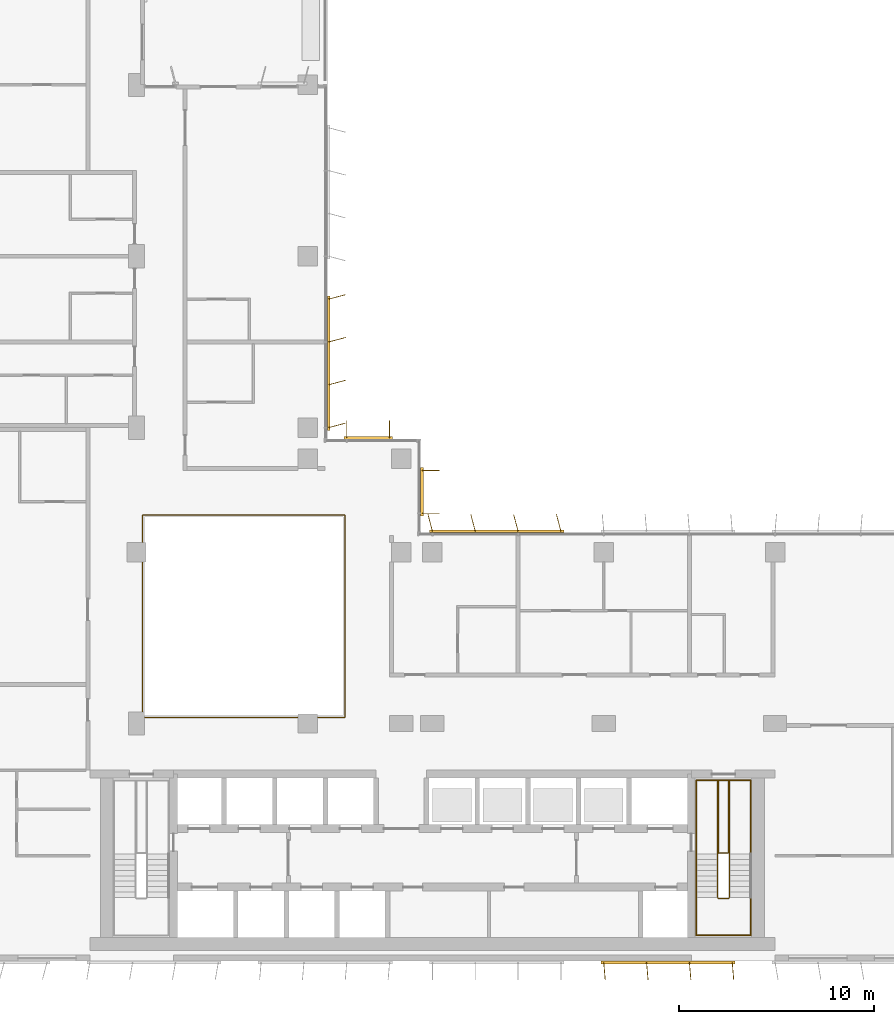
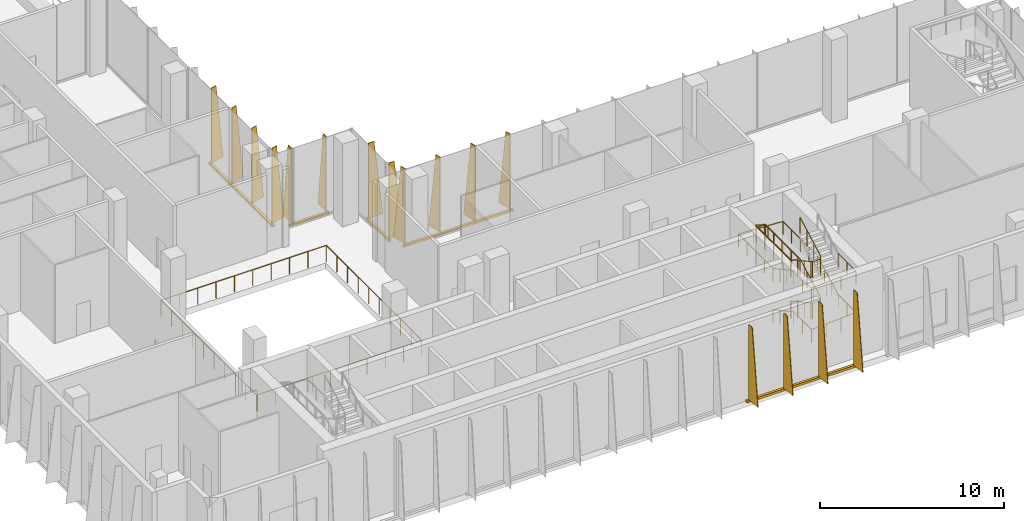
# One storey, part 20 of 24: 5 shading devices, 4 railings.
"""IFC4 building model written with IfcOpenShell, lengths in metres."""

import ifcopenshell
import ifcopenshell.guid

model = None  # the IFC model being written
_history = None  # IfcOwnerHistory: only IFC2X3 demands one
_inside = {}  # id of a spatial element -> (the spatial element, [elements in it])
_under = {}  # id of a project, library or spatial element -> (it, [spatial elements below it])
_declared = {}  # id of a project -> (the project, [libraries it declares])
_typed = {}  # id of a type object -> (the type object, [elements of that type])
_made_of = {}  # id of a material, layer set ... -> (it, [elements and type objects made of it])


def new_model(schema):
    """Start an empty IFC model of exactly this schema.

    Asked for "IFC4X3", IfcOpenShell would pick the latest addendum, in which some entities
    have other attributes; the version numbers below select the first issue.
    IFC2X3 requires an IfcOwnerHistory on every rooted entity: one is made here for all.
    """
    global model, _history
    if schema == "IFC4X3":
        model = ifcopenshell.file(schema_version=(4, 3, 0, 0))
    else:
        model = ifcopenshell.file(schema=schema)
    _inside.clear()
    _under.clear()
    _declared.clear()
    _typed.clear()
    _made_of.clear()
    _history = None
    if model.schema == "IFC2X3":
        org = make("IfcOrganization", Name="unknown")
        user = make(
            "IfcPersonAndOrganization",
            ThePerson=make("IfcPerson", FamilyName="unknown"),
            TheOrganization=org,
        )
        app = make(
            "IfcApplication",
            ApplicationDeveloper=org,
            Version="unknown",
            ApplicationFullName="unknown",
            ApplicationIdentifier="unknown",
        )
        _history = make(
            "IfcOwnerHistory",
            OwningUser=user,
            OwningApplication=app,
            ChangeAction="ADDED",
            CreationDate=0,
        )
    return model


def make(cls, **values):
    """One entity of the class cls with the attributes given. An attribute that is None is left unset."""
    return model.create_entity(
        cls, **{name: value for name, value in values.items() if value is not None}
    )


def rooted(cls, **values):
    """An entity with a GlobalId (a new one), such as an element, a storey or a relation."""
    return make(cls, GlobalId=ifcopenshell.guid.new(), OwnerHistory=_history, **values)


def si_unit(unit_type, name, prefix=None):
    """IfcSIUnit, for example si_unit("LENGTHUNIT", "METRE", prefix="MILLI")."""
    return make("IfcSIUnit", UnitType=unit_type, Prefix=prefix, Name=name)


def assignment(units):
    """IfcUnitAssignment: the units of a project."""
    return None if units is None else make("IfcUnitAssignment", Units=units)


def point(xyz):
    """IfcCartesianPoint."""
    return None if xyz is None else make("IfcCartesianPoint", Coordinates=xyz)


def direction(xyz):
    """IfcDirection."""
    return None if xyz is None else make("IfcDirection", DirectionRatios=xyz)


def frame(location, z_axis=None, x_axis=None):
    """IfcAxis2Placement3D, a coordinate frame: its origin and axes. An axis left out is left unset."""
    return make(
        "IfcAxis2Placement3D",
        Location=point(location),
        Axis=direction(z_axis),
        RefDirection=direction(x_axis),
    )


def frame_2d(location, x_axis=None):
    """IfcAxis2Placement2D, a coordinate frame in the plane: its origin and x axis."""
    return make(
        "IfcAxis2Placement2D", Location=point(location), RefDirection=direction(x_axis)
    )


def origin():
    """The frame at (0, 0, 0) with its axes left unset."""
    return frame((0.0, 0.0, 0.0))


def origin_2d():
    """The frame at (0, 0) in the plane with its x axis left unset."""
    return frame_2d((0.0, 0.0))


def place(relative_to, where):
    """IfcLocalPlacement: puts the frame where relative to a parent placement (None: the world)."""
    return make(
        "IfcLocalPlacement", PlacementRelTo=relative_to, RelativePlacement=where
    )


def context(
    kind, dimensions, precision=None, world=None, true_north=None, identifier=None
):
    """IfcGeometricRepresentationContext, for example the 3D "Model" context."""
    return make(
        "IfcGeometricRepresentationContext",
        ContextIdentifier=identifier,
        ContextType=kind,
        CoordinateSpaceDimension=dimensions,
        Precision=precision,
        WorldCoordinateSystem=world,
        TrueNorth=true_north,
    )


def subcontext(parent, identifier, kind, view, scale=None):
    """IfcGeometricRepresentationSubContext, for example "Body" below "Model"."""
    return make(
        "IfcGeometricRepresentationSubContext",
        ContextIdentifier=identifier,
        ContextType=kind,
        ParentContext=parent,
        TargetScale=scale,
        TargetView=view,
    )


def project(units=None, contexts=None):
    """IfcProject with its units and contexts."""
    return rooted(
        "IfcProject",
        Name="project",
        RepresentationContexts=contexts,
        UnitsInContext=assignment(units),
    )


def spatial(cls, under=None, at=None, **own):
    """A site, building, storey or space (cls), placed at a placement, below another one or the project."""
    s = rooted(cls, ObjectPlacement=at, **own)
    if under is not None:
        _under.setdefault(under.id(), (under, []))[1].append(s)
    return s


def polyline(points):
    """IfcPolyline through the points."""
    return make("IfcPolyline", Points=[point(p) for p in points])


def profile(cls, at=None, kind="AREA", **sizes):
    """A parametric profile (cls). Its sizes go by their IFC names, for example OverallWidth=200.0."""
    return make(cls, ProfileType=kind, Position=at, **sizes)


def rectangle(**sizes):
    """IfcRectangleProfileDef."""
    return profile("IfcRectangleProfileDef", **sizes)


def circle(**sizes):
    """IfcCircleProfileDef."""
    return profile("IfcCircleProfileDef", **sizes)


def outline(outer, holes=None, kind="AREA"):
    """IfcArbitraryClosedProfileDef: a profile drawn as a closed curve; with holes, ...WithVoids."""
    if holes is None:
        return make("IfcArbitraryClosedProfileDef", ProfileType=kind, OuterCurve=outer)
    return make(
        "IfcArbitraryProfileDefWithVoids",
        ProfileType=kind,
        OuterCurve=outer,
        InnerCurves=holes,
    )


def extrude(swept, where, along, depth):
    """IfcExtrudedAreaSolid: the profile swept, set in the frame where, extruded along a direction by depth."""
    return make(
        "IfcExtrudedAreaSolid",
        SweptArea=swept,
        Position=where,
        ExtrudedDirection=direction(along),
        Depth=depth,
    )


def shape(context_of_items, identifier, shape_type, items):
    """IfcShapeRepresentation: the items that make up one representation, for example the "Body"."""
    return make(
        "IfcShapeRepresentation",
        ContextOfItems=context_of_items,
        RepresentationIdentifier=identifier,
        RepresentationType=shape_type,
        Items=items,
    )


def source(mapping_origin, context_of_items, identifier, shape_type, items):
    """IfcRepresentationMap: a shape defined once, which mapped items show again and again."""
    return make(
        "IfcRepresentationMap",
        MappingOrigin=mapping_origin,
        MappedRepresentation=shape(context_of_items, identifier, shape_type, items),
    )


def transform(
    local_origin,
    x_axis=None,
    y_axis=None,
    z_axis=None,
    scale=None,
    scale2=None,
    scale3=None,
    uniform=True,
):
    """IfcCartesianTransformationOperator3D, or its non-uniform kind. x_axis, y_axis, z_axis: its Axis1, 2, 3."""
    if uniform:
        return make(
            "IfcCartesianTransformationOperator3D",
            Axis1=direction(x_axis),
            Axis2=direction(y_axis),
            LocalOrigin=point(local_origin),
            Scale=scale,
            Axis3=direction(z_axis),
        )
    return make(
        "IfcCartesianTransformationOperator3DnonUniform",
        Axis1=direction(x_axis),
        Axis2=direction(y_axis),
        LocalOrigin=point(local_origin),
        Scale=scale,
        Axis3=direction(z_axis),
        Scale2=scale2,
        Scale3=scale3,
    )


def mapped(mapping_source, mapping_target):
    """IfcMappedItem: shows the shape of a source again, moved by a transform."""
    return make(
        "IfcMappedItem", MappingSource=mapping_source, MappingTarget=mapping_target
    )


def material(Name=None, Category=None):
    """IfcMaterial."""
    return make("IfcMaterial", Name=Name, Category=Category)


def layer(
    of_material, thickness, ventilated=None, Name=None, Category=None, Priority=None
):
    """IfcMaterialLayer: one layer of a wall or slab, of a material (None: an air gap)."""
    return make(
        "IfcMaterialLayer",
        Material=of_material,
        LayerThickness=thickness,
        IsVentilated=ventilated,
        Name=Name,
        Category=Category,
        Priority=Priority,
    )


def layer_set(layers, Name=None):
    """IfcMaterialLayerSet."""
    return make("IfcMaterialLayerSet", MaterialLayers=layers, LayerSetName=Name)


def made_of(thing, what):
    """Note that an element or type object is made of a material, layer set ...; save() writes the relation."""
    if what is not None:
        _made_of.setdefault(what.id(), (what, []))[1].append(thing)
    return thing


def type_object(cls, material=None, **own):
    """A type object (cls), such as IfcWallType, which elements share."""
    return made_of(rooted(cls, **own), material)


def element(
    cls,
    number,
    at=None,
    inside=None,
    cuts=None,
    type_object=None,
    material=None,
    context=None,
    identifier="Body",
    shape_type=None,
    held_by="IfcProductDefinitionShape",
    body=None,
    shapes=None,
    **own,
):
    """One element of the class cls, such as IfcWall. Its Tag is "e" and its number.

    at: its placement. inside: the storey or other place that contains it. cuts: it is an
    opening in that element (IfcRelVoidsElement). A single representation is given by context,
    identifier, shape_type and body (its items); several are given by shapes. held_by: the class
    of the entity that holds the representations. save() writes the other relations.
    """
    e = rooted(cls, Tag="e%d" % number, ObjectPlacement=at, **own)
    if body is not None:
        shapes = [shape(context, identifier, shape_type, body)]
    if shapes is not None:
        e.Representation = make(held_by, Representations=shapes)
    if inside is not None:
        _inside.setdefault(inside.id(), (inside, []))[1].append(e)
    if cuts is not None:
        rooted(
            "IfcRelVoidsElement", RelatingBuildingElement=cuts, RelatedOpeningElement=e
        )
    if type_object is not None:
        _typed.setdefault(type_object.id(), (type_object, []))[1].append(e)
    return made_of(e, material)


def aggregate(whole, parts):
    """IfcRelAggregates: a whole, such as a stair, and the parts it consists of."""
    return rooted("IfcRelAggregates", RelatingObject=whole, RelatedObjects=parts)


def save(model, path):
    """Write the relations noted so far, then the file.

    IfcRelAggregates (storeys below a building ...), IfcRelContainedInSpatialStructure (elements
    in a storey), IfcRelDefinesByType, IfcRelAssociatesMaterial and IfcRelDeclares: one each for
    every whole, place, type object, material and project.
    """
    for whole, parts in _under.values():
        aggregate(whole, parts)
    for where, things in _inside.values():
        rooted(
            "IfcRelContainedInSpatialStructure",
            RelatedElements=things,
            RelatingStructure=where,
        )
    for kind, things in _typed.values():
        rooted("IfcRelDefinesByType", RelatedObjects=things, RelatingType=kind)
    for what, things in _made_of.values():
        rooted("IfcRelAssociatesMaterial", RelatedObjects=things, RelatingMaterial=what)
    for by, libraries in _declared.values():
        rooted("IfcRelDeclares", RelatingContext=by, RelatedDefinitions=libraries)
    model.write(path)


model = new_model("IFC4")

# Units and contexts
model_context = context("Model", 3, precision=1e-05, world=origin(), true_north=direction((0.0, 1.0)))
body_context = subcontext(model_context, "Body", "Model", "MODEL_VIEW")
ifc_project = project(units=[si_unit("LENGTHUNIT", "METRE"), si_unit("AREAUNIT", "SQUARE_METRE"), si_unit("VOLUMEUNIT", "CUBIC_METRE"), si_unit("PLANEANGLEUNIT", "RADIAN"), si_unit("MASSUNIT", "GRAM", prefix="KILO")], contexts=[model_context])

# Site, building, storey
site_placement = place(None, origin())
site = spatial("IfcSite", under=ifc_project, at=site_placement, CompositionType="ELEMENT")
building_placement = place(site_placement, origin())
building = spatial("IfcBuilding", under=site, at=building_placement, Name="Kemantara Hotel Tower", CompositionType="ELEMENT")
storey_placement = place(building_placement, frame((0.0, 0.0, 202.5)))
storey = spatial("IfcBuildingStorey", under=building, at=storey_placement, Name="L50", CompositionType="ELEMENT", Elevation=202.5)

# Railings
ifc_material_1 = material(Name="Stainless steel and laminated glass balustrade", Category="steel")
railing_type_1 = type_object("IfcRailingType", Name="ATRIUM GUARD 1100", PredefinedType="GUARDRAIL", material=ifc_material_1)
railing_1_placement = place(storey_placement, frame((12.56005859375, 12.5, 0.0)))
element("IfcRailing", 1, at=railing_1_placement, inside=storey, type_object=railing_type_1, Name="ATRIUM GUARD L50", PredefinedType="GUARDRAIL", context=body_context, shape_type="SweptSolid", body=[
    extrude(circle(Radius=0.02490234375, at=origin_2d()), frame((0.0, 0.0, 1.0751953125), z_axis=(1.0, 0.0, 0.0), x_axis=(0.0, 1.0, 0.0)), (0.0, 0.0, 1.0), 10.33984375),
    extrude(circle(Radius=0.02490234375, at=origin_2d()), frame((10.33984375, 0.0, 1.0751953125), z_axis=(0.0, 1.0, 0.0), x_axis=(-1.0, 0.0, 0.0)), (0.0, 0.0, 1.0), 10.39990234375),
    extrude(circle(Radius=0.02490234375, at=origin_2d()), frame((10.33984375, 10.39990234375, 1.0751953125), z_axis=(-1.0, 0.0, 0.0), x_axis=(0.0, -1.0, 0.0)), (0.0, 0.0, 1.0), 10.39990234375),
    extrude(circle(Radius=0.02490234375, at=origin_2d()), frame((-0.06005859375, 10.39990234375, 1.0751953125), z_axis=(0.0, -1.0, 0.0), x_axis=(1.0, 0.0, 0.0)), (0.0, 0.0, 1.0), 10.39990234375),
    extrude(circle(Radius=0.02001953125, at=origin_2d()), origin(), (0.0, 0.0, 1.0), 1.050048828125),
    extrude(circle(Radius=0.02001953125, at=origin_2d()), frame((1.14892578125, 0.0, 0.0)), (0.0, 0.0, 1.0), 1.050048828125),
    extrude(circle(Radius=0.02001953125, at=origin_2d()), frame((2.2978515625, 0.0, 0.0)), (0.0, 0.0, 1.0), 1.050048828125),
    extrude(circle(Radius=0.02001953125, at=origin_2d()), frame((3.446533203125, 0.0, 0.0)), (0.0, 0.0, 1.0), 1.050048828125),
    extrude(circle(Radius=0.02001953125, at=origin_2d()), frame((4.595458984375, 0.0, 0.0)), (0.0, 0.0, 1.0), 1.050048828125),
    extrude(circle(Radius=0.02001953125, at=origin_2d()), frame((5.744384765625, 0.0, 0.0)), (0.0, 0.0, 1.0), 1.050048828125),
    extrude(circle(Radius=0.02001953125, at=origin_2d()), frame((6.893310546875, 0.0, 0.0)), (0.0, 0.0, 1.0), 1.050048828125),
    extrude(circle(Radius=0.02001953125, at=origin_2d()), frame((8.0419921875, 0.0, 0.0)), (0.0, 0.0, 1.0), 1.050048828125),
    extrude(circle(Radius=0.02001953125, at=origin_2d()), frame((9.19091796875, 0.0, 0.0)), (0.0, 0.0, 1.0), 1.050048828125),
    extrude(circle(Radius=0.02001953125, at=origin_2d()), frame((10.33984375, 0.0, 0.0)), (0.0, 0.0, 1.0), 1.050048828125),
    extrude(circle(Radius=0.02001953125, at=origin_2d()), frame((10.33984375, 1.155517578125, 0.0)), (0.0, 0.0, 1.0), 1.050048828125),
    extrude(circle(Radius=0.02001953125, at=origin_2d()), frame((10.33984375, 2.31103515625, 0.0)), (0.0, 0.0, 1.0), 1.050048828125),
    extrude(circle(Radius=0.02001953125, at=origin_2d()), frame((10.33984375, 3.466552734375, 0.0)), (0.0, 0.0, 1.0), 1.050048828125),
    extrude(circle(Radius=0.02001953125, at=origin_2d()), frame((10.33984375, 4.6220703125, 0.0)), (0.0, 0.0, 1.0), 1.050048828125),
    extrude(circle(Radius=0.02001953125, at=origin_2d()), frame((10.33984375, 5.77783203125, 0.0)), (0.0, 0.0, 1.0), 1.050048828125),
    extrude(circle(Radius=0.02001953125, at=origin_2d()), frame((10.33984375, 6.933349609375, 0.0)), (0.0, 0.0, 1.0), 1.050048828125),
    extrude(circle(Radius=0.02001953125, at=origin_2d()), frame((10.33984375, 8.0888671875, 0.0)), (0.0, 0.0, 1.0), 1.050048828125),
    extrude(circle(Radius=0.02001953125, at=origin_2d()), frame((10.33984375, 9.244384765625, 0.0)), (0.0, 0.0, 1.0), 1.050048828125),
    extrude(circle(Radius=0.02001953125, at=origin_2d()), frame((10.33984375, 10.39990234375, 0.0)), (0.0, 0.0, 1.0), 1.050048828125),
    extrude(circle(Radius=0.02001953125, at=origin_2d()), frame((9.184326171875, 10.39990234375, 0.0)), (0.0, 0.0, 1.0), 1.050048828125),
    extrude(circle(Radius=0.02001953125, at=origin_2d()), frame((8.02880859375, 10.39990234375, 0.0)), (0.0, 0.0, 1.0), 1.050048828125),
    extrude(circle(Radius=0.02001953125, at=origin_2d()), frame((6.873291015625, 10.39990234375, 0.0)), (0.0, 0.0, 1.0), 1.050048828125),
    extrude(circle(Radius=0.02001953125, at=origin_2d()), frame((5.7177734375, 10.39990234375, 0.0)), (0.0, 0.0, 1.0), 1.050048828125),
    extrude(circle(Radius=0.02001953125, at=origin_2d()), frame((4.56201171875, 10.39990234375, 0.0)), (0.0, 0.0, 1.0), 1.050048828125),
    extrude(circle(Radius=0.02001953125, at=origin_2d()), frame((3.406494140625, 10.39990234375, 0.0)), (0.0, 0.0, 1.0), 1.050048828125),
    extrude(circle(Radius=0.02001953125, at=origin_2d()), frame((2.2509765625, 10.39990234375, 0.0)), (0.0, 0.0, 1.0), 1.050048828125),
    extrude(circle(Radius=0.02001953125, at=origin_2d()), frame((1.095458984375, 10.39990234375, 0.0)), (0.0, 0.0, 1.0), 1.050048828125),
    extrude(circle(Radius=0.02001953125, at=origin_2d()), frame((-0.06005859375, 10.39990234375, 0.0)), (0.0, 0.0, 1.0), 1.050048828125),
    extrude(circle(Radius=0.02001953125, at=origin_2d()), frame((-0.06005859375, 9.244384765625, 0.0)), (0.0, 0.0, 1.0), 1.050048828125),
    extrude(circle(Radius=0.02001953125, at=origin_2d()), frame((-0.06005859375, 8.0888671875, 0.0)), (0.0, 0.0, 1.0), 1.050048828125),
    extrude(circle(Radius=0.02001953125, at=origin_2d()), frame((-0.06005859375, 6.933349609375, 0.0)), (0.0, 0.0, 1.0), 1.050048828125),
    extrude(circle(Radius=0.02001953125, at=origin_2d()), frame((-0.06005859375, 5.77783203125, 0.0)), (0.0, 0.0, 1.0), 1.050048828125),
    extrude(circle(Radius=0.02001953125, at=origin_2d()), frame((-0.06005859375, 4.6220703125, 0.0)), (0.0, 0.0, 1.0), 1.050048828125),
    extrude(circle(Radius=0.02001953125, at=origin_2d()), frame((-0.06005859375, 3.466552734375, 0.0)), (0.0, 0.0, 1.0), 1.050048828125),
    extrude(circle(Radius=0.02001953125, at=origin_2d()), frame((-0.06005859375, 2.31103515625, 0.0)), (0.0, 0.0, 1.0), 1.050048828125),
    extrude(circle(Radius=0.02001953125, at=origin_2d()), frame((-0.06005859375, 1.155517578125, 0.0)), (0.0, 0.0, 1.0), 1.050048828125),
    extrude(circle(Radius=0.02001953125, at=origin_2d()), frame((-0.06005859375, 0.0, 0.0)), (0.0, 0.0, 1.0), 1.050048828125),
])
ifc_material_2 = material(Name="Stainless steel balustrade", Category="steel")
railing_type_2 = type_object("IfcRailingType", Name="Stair guard 1100 mm", PredefinedType="GUARDRAIL", material=ifc_material_2)
railing_2_placement = place(storey_placement, frame((42.64990234375, 5.5, 5.5)))
element("IfcRailing", 2, at=railing_2_placement, inside=storey, type_object=railing_type_2, Name="L50 ST2 stair guard 1", PredefinedType="GUARDRAIL", context=body_context, shape_type="SweptSolid", body=[
    extrude(circle(Radius=0.02392578125, at=origin_2d()), frame((0.0, 0.0, 1.076171875), z_axis=(0.0, -0.87783706319, -0.478959382924), x_axis=(1.0, 0.0, 0.0)), (0.0, 0.0, 1.0), 2.5517578125),
    extrude(circle(Radius=0.02392578125, at=origin_2d()), frame((0.0, -2.239990234375, -0.14599609375), z_axis=(-0.295833358201, -0.297283521722, -0.907802363892), x_axis=(0.708833529934, -0.705375805398, 0.0)), (0.0, 0.0, 1.0), 0.16845703125),
    extrude(circle(Radius=0.02392578125, at=origin_2d()), frame((-0.0498046875, -2.2900390625, -0.298828125), z_axis=(-1.0, 0.0, 0.0), x_axis=(0.0, -1.0, 0.0)), (0.0, 0.0, 1.0), 0.5),
    extrude(circle(Radius=0.02392578125, at=origin_2d()), frame((-0.5498046875, -2.2900390625, -0.298828125), z_axis=(-0.707106781187, 0.707106781187, 0.0), x_axis=(-0.707106781187, -0.707106781187, 0.0)), (0.0, 0.0, 1.0), 0.07080078125),
    extrude(circle(Radius=0.02392578125, at=origin_2d()), frame((-0.599853515625, -2.239990234375, -0.298828125), z_axis=(0.0, 0.87783706319, -0.478959382924), x_axis=(-1.0, 0.0, 0.0)), (0.0, 0.0, 1.0), 2.5517578125),
    extrude(circle(Radius=0.02392578125, at=origin_2d()), frame((-0.599853515625, 0.0, -1.52099609375), z_axis=(0.0, 1.0, 0.0), x_axis=(-1.0, 0.0, 0.0)), (0.0, 0.0, 1.0), 3.780029296875),
    extrude(circle(Radius=0.02392578125, at=origin_2d()), frame((-0.599853515625, 3.780029296875, -1.52099609375), z_axis=(0.963499526908, 0.0, -0.267710032776), x_axis=(0.0, 1.0, 0.0)), (0.0, 0.0, 1.0), 0.57080078125),
    extrude(circle(Radius=0.02392578125, at=origin_2d()), frame((-0.0498046875, 3.780029296875, -1.673828125), z_axis=(0.0, -1.0, 0.0), x_axis=(1.0, 0.0, 0.0)), (0.0, 0.0, 1.0), 3.72998046875),
    extrude(circle(Radius=0.02392578125, at=origin_2d()), frame((-0.0498046875, 0.050048828125, -1.673828125), z_axis=(-1.0, 0.0, 0.0), x_axis=(0.0, -1.0, 0.0)), (0.0, 0.0, 1.0), 0.5),
    extrude(circle(Radius=0.02392578125, at=origin_2d()), frame((-0.5498046875, 0.050048828125, -1.673828125), z_axis=(0.0, 1.0, 0.0), x_axis=(-1.0, 0.0, 0.0)), (0.0, 0.0, 1.0), 3.72998046875),
    extrude(circle(Radius=0.02392578125, at=origin_2d()), frame((-0.5498046875, 3.780029296875, -1.673828125), z_axis=(1.0, 0.0, 0.0), x_axis=(0.0, 1.0, 0.0)), (0.0, 0.0, 1.0), 0.5498046875),
    extrude(circle(Radius=0.02392578125, at=origin_2d()), frame((0.0, 3.780029296875, -1.673828125), z_axis=(0.0, -1.0, 0.0), x_axis=(1.0, 0.0, 0.0)), (0.0, 0.0, 1.0), 3.780029296875),
    extrude(circle(Radius=0.02392578125, at=origin_2d()), frame((0.0, 0.0, -1.673828125), z_axis=(0.0, -0.87783706319, -0.478959382924), x_axis=(1.0, 0.0, 0.0)), (0.0, 0.0, 1.0), 2.5517578125),
    extrude(circle(Radius=0.02392578125, at=origin_2d()), frame((0.0, -2.239990234375, -2.89599609375), z_axis=(-0.295833358201, -0.297283521722, -0.907802363892), x_axis=(0.708833529934, -0.705375805398, 0.0)), (0.0, 0.0, 1.0), 0.16845703125),
    extrude(circle(Radius=0.02392578125, at=origin_2d()), frame((-0.0498046875, -2.2900390625, -3.048828125), z_axis=(-1.0, 0.0, 0.0), x_axis=(0.0, -1.0, 0.0)), (0.0, 0.0, 1.0), 0.5),
    extrude(circle(Radius=0.02392578125, at=origin_2d()), frame((-0.5498046875, -2.2900390625, -3.048828125), z_axis=(-0.707106781187, 0.707106781187, 0.0), x_axis=(-0.707106781187, -0.707106781187, 0.0)), (0.0, 0.0, 1.0), 0.07080078125),
    extrude(circle(Radius=0.02392578125, at=origin_2d()), frame((-0.599853515625, -2.239990234375, -3.048828125), z_axis=(0.0, 0.87783706319, -0.478959382924), x_axis=(-1.0, 0.0, 0.0)), (0.0, 0.0, 1.0), 2.5517578125),
    extrude(circle(Radius=0.02392578125, at=origin_2d()), frame((-0.599853515625, 0.0, -4.27099609375), z_axis=(0.297155754911, 0.297155754911, -0.90741220768), x_axis=(-0.707106781187, 0.707106781187, 0.0)), (0.0, 0.0, 1.0), 0.16845703125),
    extrude(circle(Radius=0.02392578125, at=origin_2d()), frame((-0.5498046875, 0.050048828125, -4.423828125), z_axis=(1.0, 0.0, 0.0), x_axis=(0.0, 1.0, 0.0)), (0.0, 0.0, 1.0), 0.5),
    extrude(circle(Radius=0.02099609375, at=origin_2d()), origin(), (0.0, 0.0, 1.0), 1.052001953125),
    extrude(circle(Radius=0.02099609375, at=origin_2d()), frame((0.0, -0.74658203125, -0.407470703125)), (0.0, 0.0, 1.0), 1.052001953125),
    extrude(circle(Radius=0.02099609375, at=origin_2d()), frame((0.0, -1.493408203125, -0.814697265625)), (0.0, 0.0, 1.0), 1.052001953125),
    extrude(circle(Radius=0.02099609375, at=origin_2d()), frame((0.0, -2.239990234375, -1.22216796875)), (0.0, 0.0, 1.0), 1.052001953125),
    extrude(circle(Radius=0.02099609375, at=origin_2d()), frame((-0.0498046875, -2.2900390625, -1.375)), (0.0, 0.0, 1.0), 1.052001953125),
    extrude(circle(Radius=0.02099609375, at=origin_2d()), frame((-0.5498046875, -2.2900390625, -1.375)), (0.0, 0.0, 1.0), 1.052001953125),
    extrude(circle(Radius=0.02099609375, at=origin_2d()), frame((-0.599853515625, -2.239990234375, -1.375)), (0.0, 0.0, 1.0), 1.052001953125),
    extrude(circle(Radius=0.02099609375, at=origin_2d()), frame((-0.599853515625, -1.493408203125, -1.782470703125)), (0.0, 0.0, 1.0), 1.052001953125),
    extrude(circle(Radius=0.02099609375, at=origin_2d()), frame((-0.599853515625, -0.74658203125, -2.189697265625)), (0.0, 0.0, 1.0), 1.052001953125),
    extrude(circle(Radius=0.02099609375, at=origin_2d()), frame((-0.599853515625, 0.0, -2.59716796875)), (0.0, 0.0, 1.0), 1.052001953125),
    extrude(circle(Radius=0.02099609375, at=origin_2d()), frame((-0.599853515625, 0.945068359375, -2.59716796875)), (0.0, 0.0, 1.0), 1.052001953125),
    extrude(circle(Radius=0.02099609375, at=origin_2d()), frame((-0.599853515625, 1.89013671875, -2.59716796875)), (0.0, 0.0, 1.0), 1.052001953125),
    extrude(circle(Radius=0.02099609375, at=origin_2d()), frame((-0.599853515625, 2.8349609375, -2.59716796875)), (0.0, 0.0, 1.0), 1.052001953125),
    extrude(circle(Radius=0.02099609375, at=origin_2d()), frame((-0.599853515625, 3.780029296875, -2.59716796875)), (0.0, 0.0, 1.0), 1.052001953125),
    extrude(circle(Radius=0.02099609375, at=origin_2d()), frame((-0.0498046875, 3.780029296875, -2.75)), (0.0, 0.0, 1.0), 1.052001953125),
    extrude(circle(Radius=0.02099609375, at=origin_2d()), frame((-0.0498046875, 2.84765625, -2.75)), (0.0, 0.0, 1.0), 1.052001953125),
    extrude(circle(Radius=0.02099609375, at=origin_2d()), frame((-0.0498046875, 1.9150390625, -2.75)), (0.0, 0.0, 1.0), 1.052001953125),
    extrude(circle(Radius=0.02099609375, at=origin_2d()), frame((-0.0498046875, 0.982421875, -2.75)), (0.0, 0.0, 1.0), 1.052001953125),
    extrude(circle(Radius=0.02099609375, at=origin_2d()), frame((-0.0498046875, 0.050048828125, -2.75)), (0.0, 0.0, 1.0), 1.052001953125),
    extrude(circle(Radius=0.02099609375, at=origin_2d()), frame((-0.5498046875, 0.050048828125, -2.75)), (0.0, 0.0, 1.0), 1.052001953125),
    extrude(circle(Radius=0.02099609375, at=origin_2d()), frame((-0.5498046875, 0.982421875, -2.75)), (0.0, 0.0, 1.0), 1.052001953125),
    extrude(circle(Radius=0.02099609375, at=origin_2d()), frame((-0.5498046875, 1.9150390625, -2.75)), (0.0, 0.0, 1.0), 1.052001953125),
    extrude(circle(Radius=0.02099609375, at=origin_2d()), frame((-0.5498046875, 2.84765625, -2.75)), (0.0, 0.0, 1.0), 1.052001953125),
    extrude(circle(Radius=0.02099609375, at=origin_2d()), frame((-0.5498046875, 3.780029296875, -2.75)), (0.0, 0.0, 1.0), 1.052001953125),
    extrude(circle(Radius=0.02099609375, at=origin_2d()), frame((0.0, 3.780029296875, -2.75)), (0.0, 0.0, 1.0), 1.052001953125),
    extrude(circle(Radius=0.02099609375, at=origin_2d()), frame((0.0, 2.8349609375, -2.75)), (0.0, 0.0, 1.0), 1.052001953125),
    extrude(circle(Radius=0.02099609375, at=origin_2d()), frame((0.0, 1.89013671875, -2.75)), (0.0, 0.0, 1.0), 1.052001953125),
    extrude(circle(Radius=0.02099609375, at=origin_2d()), frame((0.0, 0.945068359375, -2.75)), (0.0, 0.0, 1.0), 1.052001953125),
    extrude(circle(Radius=0.02099609375, at=origin_2d()), frame((0.0, 0.0, -2.75)), (0.0, 0.0, 1.0), 1.052001953125),
    extrude(circle(Radius=0.02099609375, at=origin_2d()), frame((0.0, -0.74658203125, -3.157470703125)), (0.0, 0.0, 1.0), 1.052001953125),
    extrude(circle(Radius=0.02099609375, at=origin_2d()), frame((0.0, -1.493408203125, -3.564697265625)), (0.0, 0.0, 1.0), 1.052001953125),
    extrude(circle(Radius=0.02099609375, at=origin_2d()), frame((0.0, -2.239990234375, -3.97216796875)), (0.0, 0.0, 1.0), 1.052001953125),
    extrude(circle(Radius=0.02099609375, at=origin_2d()), frame((-0.0498046875, -2.2900390625, -4.125)), (0.0, 0.0, 1.0), 1.052001953125),
    extrude(circle(Radius=0.02099609375, at=origin_2d()), frame((-0.5498046875, -2.2900390625, -4.125)), (0.0, 0.0, 1.0), 1.052001953125),
    extrude(circle(Radius=0.02099609375, at=origin_2d()), frame((-0.599853515625, -2.239990234375, -4.125)), (0.0, 0.0, 1.0), 1.052001953125),
    extrude(circle(Radius=0.02099609375, at=origin_2d()), frame((-0.599853515625, -1.493408203125, -4.532470703125)), (0.0, 0.0, 1.0), 1.052001953125),
    extrude(circle(Radius=0.02099609375, at=origin_2d()), frame((-0.599853515625, -0.74658203125, -4.939697265625)), (0.0, 0.0, 1.0), 1.052001953125),
    extrude(circle(Radius=0.02099609375, at=origin_2d()), frame((-0.599853515625, 0.0, -5.34716796875)), (0.0, 0.0, 1.0), 1.052001953125),
    extrude(circle(Radius=0.02099609375, at=origin_2d()), frame((-0.5498046875, 0.050048828125, -5.5)), (0.0, 0.0, 1.0), 1.052001953125),
    extrude(circle(Radius=0.02099609375, at=origin_2d()), frame((-0.0498046875, 0.050048828125, -5.5)), (0.0, 0.0, 1.0), 1.052001953125),
])
railing_type_3 = type_object("IfcRailingType", Name="Stair handrail 900 mm", PredefinedType="HANDRAIL", material=ifc_material_2)
railing_3_placement = place(storey_placement, frame((40.949951171875, 5.5, 0.15283203125)))
element("IfcRailing", 3, at=railing_3_placement, inside=storey, type_object=railing_type_3, Name="L50 ST2 stair handrail 1", PredefinedType="HANDRAIL", context=body_context, shape_type="SweptSolid", body=[
    extrude(circle(Radius=0.02392578125, at=origin_2d()), frame((0.0, 0.0, 0.8759765625), z_axis=(0.0, -0.87783706319, 0.478959382924), x_axis=(1.0, 0.0, 0.0)), (0.0, 0.0, 1.0), 2.5517578125),
    extrude(circle(Radius=0.02392578125, at=origin_2d()), frame((0.0, -2.239990234375, 2.09814453125), z_axis=(0.0, -1.0, 0.0), x_axis=(1.0, 0.0, 0.0)), (0.0, 0.0, 1.0), 1.93994140625),
    extrude(circle(Radius=0.02392578125, at=origin_2d()), frame((0.0, -4.179931640625, 2.09814453125), z_axis=(0.998513727286, 0.0, 0.054500792857), x_axis=(0.0, 1.0, 0.0)), (0.0, 0.0, 1.0), 2.80419921875),
    extrude(circle(Radius=0.02392578125, at=origin_2d()), frame((2.800048828125, -4.179931640625, 2.2509765625), z_axis=(0.0, 1.0, 0.0), x_axis=(-1.0, 0.0, 0.0)), (0.0, 0.0, 1.0), 1.93994140625),
    extrude(circle(Radius=0.02392578125, at=origin_2d()), frame((2.800048828125, -2.239990234375, 2.2509765625), z_axis=(0.0, 0.87783706319, 0.478959382924), x_axis=(-1.0, 0.0, 0.0)), (0.0, 0.0, 1.0), 2.5517578125),
    extrude(circle(Radius=0.02392578125, at=origin_2d()), frame((2.800048828125, 0.0, 3.47314453125), z_axis=(0.0, 1.0, 0.0), x_axis=(-1.0, 0.0, 0.0)), (0.0, 0.0, 1.0), 3.780029296875),
    extrude(circle(Radius=0.02099609375, at=origin_2d()), origin(), (0.0, 0.0, 1.0), 0.851806640625),
    extrude(circle(Radius=0.02099609375, at=origin_2d()), frame((0.0, -0.74658203125, 0.407470703125)), (0.0, 0.0, 1.0), 0.851806640625),
    extrude(circle(Radius=0.02099609375, at=origin_2d()), frame((0.0, -1.493408203125, 0.814697265625)), (0.0, 0.0, 1.0), 0.851806640625),
    extrude(circle(Radius=0.02099609375, at=origin_2d()), frame((0.0, -2.239990234375, 1.22216796875)), (0.0, 0.0, 1.0), 0.851806640625),
    extrude(circle(Radius=0.02099609375, at=origin_2d()), frame((0.0, -3.2099609375, 1.22216796875)), (0.0, 0.0, 1.0), 0.851806640625),
    extrude(circle(Radius=0.02099609375, at=origin_2d()), frame((0.0, -4.179931640625, 1.22216796875)), (0.0, 0.0, 1.0), 0.851806640625),
    extrude(circle(Radius=0.02099609375, at=origin_2d()), frame((0.933349609375, -4.179931640625, 1.273193359375)), (0.0, 0.0, 1.0), 0.851806640625),
    extrude(circle(Radius=0.02099609375, at=origin_2d()), frame((1.86669921875, -4.179931640625, 1.323974609375)), (0.0, 0.0, 1.0), 0.851806640625),
    extrude(circle(Radius=0.02099609375, at=origin_2d()), frame((2.800048828125, -4.179931640625, 1.375)), (0.0, 0.0, 1.0), 0.851806640625),
    extrude(circle(Radius=0.02099609375, at=origin_2d()), frame((2.800048828125, -3.2099609375, 1.375)), (0.0, 0.0, 1.0), 0.851806640625),
    extrude(circle(Radius=0.02099609375, at=origin_2d()), frame((2.800048828125, -2.239990234375, 1.375)), (0.0, 0.0, 1.0), 0.851806640625),
    extrude(circle(Radius=0.02099609375, at=origin_2d()), frame((2.800048828125, -1.493408203125, 1.782470703125)), (0.0, 0.0, 1.0), 0.851806640625),
    extrude(circle(Radius=0.02099609375, at=origin_2d()), frame((2.800048828125, -0.74658203125, 2.189697265625)), (0.0, 0.0, 1.0), 0.851806640625),
    extrude(circle(Radius=0.02099609375, at=origin_2d()), frame((2.800048828125, 0.0, 2.59716796875)), (0.0, 0.0, 1.0), 0.851806640625),
    extrude(circle(Radius=0.02099609375, at=origin_2d()), frame((2.800048828125, 0.945068359375, 2.59716796875)), (0.0, 0.0, 1.0), 0.851806640625),
    extrude(circle(Radius=0.02099609375, at=origin_2d()), frame((2.800048828125, 1.89013671875, 2.59716796875)), (0.0, 0.0, 1.0), 0.851806640625),
    extrude(circle(Radius=0.02099609375, at=origin_2d()), frame((2.800048828125, 2.8349609375, 2.59716796875)), (0.0, 0.0, 1.0), 0.851806640625),
    extrude(circle(Radius=0.02099609375, at=origin_2d()), frame((2.800048828125, 3.780029296875, 2.59716796875)), (0.0, 0.0, 1.0), 0.851806640625),
])
railing_4_placement = place(storey_placement, frame((43.75, 9.280029296875, 2.75)))
element("IfcRailing", 4, at=railing_4_placement, inside=storey, type_object=railing_type_3, Name="L50 ST2 stair handrail 2", PredefinedType="HANDRAIL", context=body_context, shape_type="SweptSolid", body=[
    extrude(circle(Radius=0.02392578125, at=origin_2d()), frame((0.0, 0.0, 0.8759765625), z_axis=(-0.998513727286, 0.0, 0.054500792857), x_axis=(0.0, -1.0, 0.0)), (0.0, 0.0, 1.0), 2.80419921875),
    extrude(circle(Radius=0.02392578125, at=origin_2d()), frame((-2.800048828125, 0.0, 1.02880859375), z_axis=(0.0, -1.0, 0.0), x_axis=(1.0, 0.0, 0.0)), (0.0, 0.0, 1.0), 3.780029296875),
    extrude(circle(Radius=0.02392578125, at=origin_2d()), frame((-2.800048828125, -3.780029296875, 1.02880859375), z_axis=(0.0, -0.87783706319, 0.478959382924), x_axis=(1.0, 0.0, 0.0)), (0.0, 0.0, 1.0), 2.5517578125),
    extrude(circle(Radius=0.02392578125, at=origin_2d()), frame((-2.800048828125, -6.02001953125, 2.2509765625), z_axis=(0.0, -1.0, 0.0), x_axis=(1.0, 0.0, 0.0)), (0.0, 0.0, 1.0), 1.93994140625),
    extrude(circle(Radius=0.02392578125, at=origin_2d()), frame((-2.800048828125, -7.9599609375, 2.2509765625), z_axis=(0.998513727286, 0.0, 0.054500792857), x_axis=(0.0, 1.0, 0.0)), (0.0, 0.0, 1.0), 2.80419921875),
    extrude(circle(Radius=0.02392578125, at=origin_2d()), frame((0.0, -7.9599609375, 2.40380859375), z_axis=(0.0, 1.0, 0.0), x_axis=(-1.0, 0.0, 0.0)), (0.0, 0.0, 1.0), 1.93994140625),
    extrude(circle(Radius=0.02099609375, at=origin_2d()), origin(), (0.0, 0.0, 1.0), 0.851806640625),
    extrude(circle(Radius=0.02099609375, at=origin_2d()), frame((-0.933349609375, 0.0, 0.051025390625)), (0.0, 0.0, 1.0), 0.851806640625),
    extrude(circle(Radius=0.02099609375, at=origin_2d()), frame((-1.86669921875, 0.0, 0.101806640625)), (0.0, 0.0, 1.0), 0.851806640625),
    extrude(circle(Radius=0.02099609375, at=origin_2d()), frame((-2.800048828125, 0.0, 0.15283203125)), (0.0, 0.0, 1.0), 0.851806640625),
    extrude(circle(Radius=0.02099609375, at=origin_2d()), frame((-2.800048828125, -0.945068359375, 0.15283203125)), (0.0, 0.0, 1.0), 0.851806640625),
    extrude(circle(Radius=0.02099609375, at=origin_2d()), frame((-2.800048828125, -1.89013671875, 0.15283203125)), (0.0, 0.0, 1.0), 0.851806640625),
    extrude(circle(Radius=0.02099609375, at=origin_2d()), frame((-2.800048828125, -2.8349609375, 0.15283203125)), (0.0, 0.0, 1.0), 0.851806640625),
    extrude(circle(Radius=0.02099609375, at=origin_2d()), frame((-2.800048828125, -3.780029296875, 0.15283203125)), (0.0, 0.0, 1.0), 0.851806640625),
    extrude(circle(Radius=0.02099609375, at=origin_2d()), frame((-2.800048828125, -4.526611328125, 0.560302734375)), (0.0, 0.0, 1.0), 0.851806640625),
    extrude(circle(Radius=0.02099609375, at=origin_2d()), frame((-2.800048828125, -5.2734375, 0.967529296875)), (0.0, 0.0, 1.0), 0.851806640625),
    extrude(circle(Radius=0.02099609375, at=origin_2d()), frame((-2.800048828125, -6.02001953125, 1.375)), (0.0, 0.0, 1.0), 0.851806640625),
    extrude(circle(Radius=0.02099609375, at=origin_2d()), frame((-2.800048828125, -6.989990234375, 1.375)), (0.0, 0.0, 1.0), 0.851806640625),
    extrude(circle(Radius=0.02099609375, at=origin_2d()), frame((-2.800048828125, -7.9599609375, 1.375)), (0.0, 0.0, 1.0), 0.851806640625),
    extrude(circle(Radius=0.02099609375, at=origin_2d()), frame((-1.86669921875, -7.9599609375, 1.426025390625)), (0.0, 0.0, 1.0), 0.851806640625),
    extrude(circle(Radius=0.02099609375, at=origin_2d()), frame((-0.933349609375, -7.9599609375, 1.476806640625)), (0.0, 0.0, 1.0), 0.851806640625),
    extrude(circle(Radius=0.02099609375, at=origin_2d()), frame((0.0, -7.9599609375, 1.52783203125)), (0.0, 0.0, 1.0), 0.851806640625),
    extrude(circle(Radius=0.02099609375, at=origin_2d()), frame((0.0, -6.989990234375, 1.52783203125)), (0.0, 0.0, 1.0), 0.851806640625),
    extrude(circle(Radius=0.02099609375, at=origin_2d()), frame((0.0, -6.02001953125, 1.52783203125)), (0.0, 0.0, 1.0), 0.851806640625),
])

# Shading devices
ifc_material_3 = material(Name="Perforated aluminium plate 4 mm bronze anodised", Category="aluminium")
ifc_layer_1 = layer(ifc_material_3, 0.0400390625)
ifc_layer_set_1 = layer_set([ifc_layer_1], Name="Perforated aluminium plate 4 mm bronze anodised")
shading_device_type_1 = type_object("IfcShadingDeviceType", Name="SCREEN FIN CASSETTE, 4 BLADES AT +15.0 DEG, 5000 HIGH", PredefinedType="USERDEFINED", material=ifc_layer_set_1)
shared_shape_1 = source(origin(), body_context, "Body", "SweptSolid", [
    extrude(rectangle(XDim=6.89990234375, YDim=0.14990234375, at=origin_2d()), frame((3.300048828125, -0.074951171875, -0.14990234375), z_axis=(0.0, 0.0, 1.0), x_axis=(1.0, 0.0, 0.0)), (0.0, 0.0, 1.0), 0.14990234375),
    extrude(outline(polyline([(0.0, 0.0), (0.89990234375, 0.0), (0.35009765625, 5.0), (0.0, 5.0), (0.0, 0.0)])), frame((0.019287109375, -0.06982421875, 0.0), z_axis=(-0.966437683387, -0.256901156343, 0.0), x_axis=(0.256901156343, -0.966437683387, 0.0)), (0.0, 0.0, 1.0), 0.039794921875),
    extrude(outline(polyline([(0.0, 0.0), (0.89990234375, 0.0), (0.35009765625, 5.0), (0.0, 5.0), (0.0, 0.0)])), frame((2.21923828125, -0.06982421875, 0.0), z_axis=(-0.966437683387, -0.256901156343, 0.0), x_axis=(0.256901156343, -0.966437683387, 0.0)), (0.0, 0.0, 1.0), 0.039794921875),
    extrude(outline(polyline([(0.0, 0.0), (0.89990234375, 0.0), (0.35009765625, 5.0), (0.0, 5.0), (0.0, 0.0)])), frame((4.41943359375, -0.06982421875, 0.0), z_axis=(-0.966837822169, -0.255391122837, 0.0), x_axis=(0.255391122837, -0.966837822169, 0.0)), (0.0, 0.0, 1.0), 0.0400390625),
    extrude(outline(polyline([(0.0, 0.0), (0.89990234375, 0.0), (0.35009765625, 5.0), (0.0, 5.0), (0.0, 0.0)])), frame((6.619384765625, -0.06982421875, 0.0), z_axis=(-0.966837822169, -0.255391122837, 0.0), x_axis=(0.255391122837, -0.966837822169, 0.0)), (0.0, 0.0, 1.0), 0.0400390625),
])
for number, where, z_axis, x_axis, name in (
    (5, (22.0, 27.39990234375, 0.10009765625), (0.0, 0.0, 1.0), (0.0, 1.0, 0.0), "SCREEN FIN CASSETTE L50 T3S-R00-1"),
    (6, (34.0, 22.0, 0.10009765625), (0.0, 0.0, 1.0), (-1.0, 0.0, 0.0), "SCREEN FIN CASSETTE L50 T3S-R15-4"),
):
    element("IfcShadingDevice", number, at=place(storey_placement, frame(where, z_axis=z_axis, x_axis=x_axis)), inside=storey, type_object=shading_device_type_1, Name=name, ObjectType="SCREEN FIN", PredefinedType="USERDEFINED", context=body_context, shape_type="MappedRepresentation", body=[
        mapped(shared_shape_1, transform((0.0, 0.0, 0.0))),
    ])
ifc_layer_2 = layer(ifc_material_3, 0.0400390625)
ifc_layer_set_2 = layer_set([ifc_layer_2], Name="Perforated aluminium plate 4 mm bronze anodised")
shading_device_type_2 = type_object("IfcShadingDeviceType", Name="SCREEN FIN CASSETTE, 4 BLADES AT +5.0 DEG, 5000 HIGH", PredefinedType="USERDEFINED", material=ifc_layer_set_2)
shared_shape_2 = source(origin(), body_context, "Body", "SweptSolid", [
    extrude(rectangle(XDim=6.89990234375, YDim=0.14990234375, at=origin_2d()), frame((3.300048828125, -0.074951171875, -0.14990234375), z_axis=(0.0, 0.0, 1.0), x_axis=(1.0, 0.0, 0.0)), (0.0, 0.0, 1.0), 0.14990234375),
    extrude(outline(polyline([(0.0, 0.0), (0.89990234375, 0.0), (0.35009765625, 5.0), (0.0, 5.0), (0.0, 0.0)])), frame((0.02001953125, -0.0732421875, 0.0), z_axis=(-0.996376129781, -0.085056498884, 0.0), x_axis=(0.085056498884, -0.996376129781, 0.0)), (0.0, 0.0, 1.0), 0.040283203125),
    extrude(outline(polyline([(0.0, 0.0), (0.89990234375, 0.0), (0.35009765625, 5.0), (0.0, 5.0), (0.0, 0.0)])), frame((2.219970703125, -0.0732421875, 0.0), z_axis=(-0.996331773833, -0.085574508182, 0.0), x_axis=(0.085574508182, -0.996331773833, 0.0)), (0.0, 0.0, 1.0), 0.0400390625),
    extrude(outline(polyline([(0.0, 0.0), (0.89990234375, 0.0), (0.35009765625, 5.0), (0.0, 5.0), (0.0, 0.0)])), frame((4.419921875, -0.0732421875, 0.0), z_axis=(-0.996331773833, -0.085574508182, 0.0), x_axis=(0.085574508182, -0.996331773833, 0.0)), (0.0, 0.0, 1.0), 0.0400390625),
    extrude(outline(polyline([(0.0, 0.0), (0.89990234375, 0.0), (0.35009765625, 5.0), (0.0, 5.0), (0.0, 0.0)])), frame((6.619873046875, -0.0732421875, 0.0), z_axis=(-0.996331773833, -0.085574508182, 0.0), x_axis=(0.085574508182, -0.996331773833, 0.0)), (0.0, 0.0, 1.0), 0.0400390625),
])
shading_device_placement = place(storey_placement, frame((36.199951171875, 0.0, 0.10009765625), z_axis=(0.0, 0.0, 1.0), x_axis=(1.0, 0.0, 0.0)))
element("IfcShadingDevice", 7, at=shading_device_placement, inside=storey, type_object=shading_device_type_2, Name="SCREEN FIN CASSETTE L50 T3S-R09-5", ObjectType="SCREEN FIN", PredefinedType="USERDEFINED", context=body_context, shape_type="MappedRepresentation", body=[
    mapped(shared_shape_2, transform((0.0, 0.0, 0.0))),
])
ifc_layer_3 = layer(ifc_material_3, 0.0400390625)
ifc_layer_set_3 = layer_set([ifc_layer_3], Name="Perforated aluminium plate 4 mm bronze anodised")
shading_device_type_3 = type_object("IfcShadingDeviceType", Name="SCREEN FIN CASSETTE, 2 BLADES AT +0.0 DEG, 5000 HIGH", PredefinedType="USERDEFINED", material=ifc_layer_set_3)
shared_shape_3 = source(origin(), body_context, "Body", "SweptSolid", [
    extrude(rectangle(XDim=2.5, YDim=0.14990234375, at=origin_2d()), frame((1.10009765625, -0.074951171875, -0.14990234375), z_axis=(0.0, 0.0, 1.0), x_axis=(1.0, 0.0, 0.0)), (0.0, 0.0, 1.0), 0.14990234375),
    extrude(outline(polyline([(0.0, 0.0), (0.89990234375, 0.0), (0.35009765625, 5.0), (0.0, 5.0), (0.0, 0.0)])), frame((0.02001953125, -0.074951171875, 0.0), z_axis=(-1.0, 0.0, 0.0), x_axis=(0.0, -1.0, 0.0)), (0.0, 0.0, 1.0), 0.0400390625),
    extrude(outline(polyline([(0.0, 0.0), (0.89990234375, 0.0), (0.35009765625, 5.0), (0.0, 5.0), (0.0, 0.0)])), frame((2.219970703125, -0.074951171875, 0.0), z_axis=(-1.0, 0.0, 0.0), x_axis=(0.0, -1.0, 0.0)), (0.0, 0.0, 1.0), 0.0400390625),
])
for number, where, z_axis, x_axis, name in (
    (8, (26.800048828125, 23.0, 0.10009765625), (0.0, 0.0, 1.0), (0.0, 1.0, 0.0), "SCREEN FIN CASSETTE L50 T3S-R16-1"),
    (9, (25.199951171875, 26.800048828125, 0.10009765625), (0.0, 0.0, 1.0), (-1.0, 0.0, 0.0), "SCREEN FIN CASSETTE L50 T3S-R17-1"),
):
    element("IfcShadingDevice", number, at=place(storey_placement, frame(where, z_axis=z_axis, x_axis=x_axis)), inside=storey, type_object=shading_device_type_3, Name=name, ObjectType="SCREEN FIN", PredefinedType="USERDEFINED", context=body_context, shape_type="MappedRepresentation", body=[
        mapped(shared_shape_3, transform((0.0, 0.0, 0.0))),
    ])

save(model, "model.ifc")
